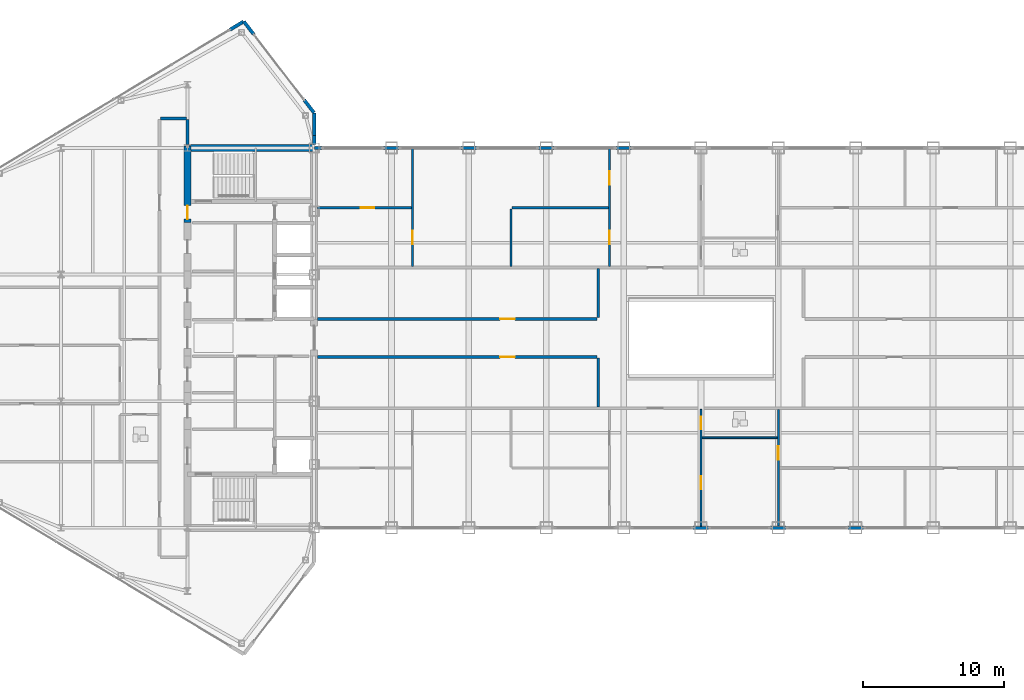
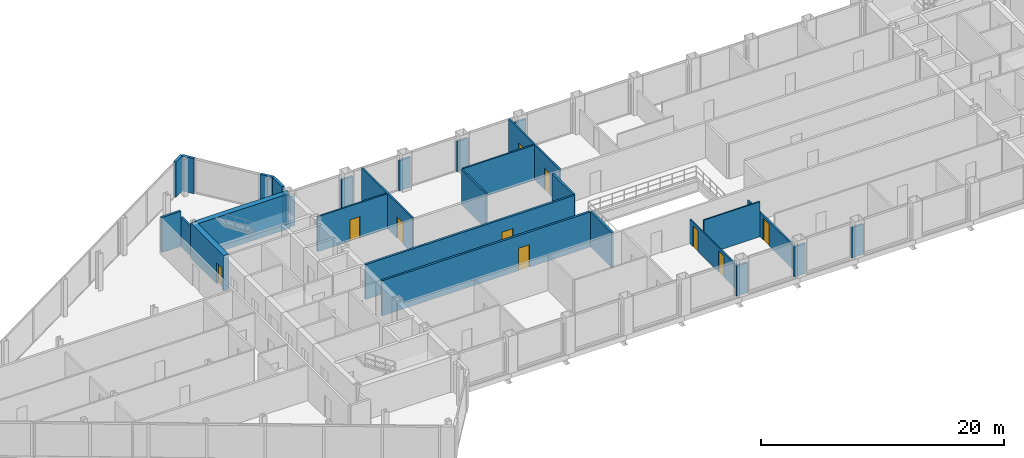
# One storey, part 23 of 29: 29 walls, 10 doors, 10 openings.
"""IFC4 building model written with IfcOpenShell, lengths in metres."""

from ifc_helpers import new_model, si_unit, direction, frame, frame_2d, origin, place, context, subcontext, project, spatial, rectangle, extrude, source, transform, mapped, material, layer, layer_set, type_object, type_shapes, element, fill, save


model = new_model("IFC4")

# Units and contexts
model_context = context("Model", 3, precision=1e-05, world=origin(), true_north=direction((0.0, 1.0)))
body_context = subcontext(model_context, "Body", "Model", "MODEL_VIEW")
ifc_project = project(units=[si_unit("LENGTHUNIT", "METRE"), si_unit("AREAUNIT", "SQUARE_METRE"), si_unit("VOLUMEUNIT", "CUBIC_METRE"), si_unit("PLANEANGLEUNIT", "RADIAN"), si_unit("MASSUNIT", "GRAM", prefix="KILO")], contexts=[model_context])

# Site, building, storey
site_placement = place(None, origin())
site = spatial("IfcSite", under=ifc_project, at=site_placement, CompositionType="ELEMENT")
building_placement = place(site_placement, origin())
building = spatial("IfcBuilding", under=site, at=building_placement, Name="Seokmaru Belvedere", CompositionType="ELEMENT")
storey_placement = place(building_placement, frame((0.0, 0.0, 243.14990234375)))
storey = spatial("IfcBuildingStorey", under=building, at=storey_placement, Name="L64", CompositionType="ELEMENT", Elevation=243.14990234375)

# Wall, opening, door
ifc_material_1 = material(Name="Fire-Rated Gypsum Shaftwall")
ifc_layer_1 = layer(ifc_material_1, 0.14990234375)
ifc_layer_set_1 = layer_set([ifc_layer_1], Name="Fire-Rated Gypsum Shaftwall")
wall_type_1 = type_object("IfcWallType", Name="Apartment Fire-Acoustic Room Partition 150", PredefinedType="PARTITIONING", material=ifc_layer_set_1)
wall_1_placement = place(storey_placement, frame((-27.2451171875, 9.25, 0.0), z_axis=(0.0, 0.0, 1.0), x_axis=(1.0, 0.0, 0.0)))
wall_1 = element("IfcWall", 1, at=wall_1_placement, inside=storey, type_object=wall_type_1, Name="L64 Interior Partition 026", PredefinedType="PARTITIONING", context=body_context, shape_type="SweptSolid", body=[
    extrude(rectangle(XDim=6.66015625, YDim=0.14990234375, at=frame_2d((3.330078125, 0.0))), origin(), (0.0, 0.0, 1.0), 3.530029296875),
])
opening_1_placement = place(wall_1_placement, frame((3.070068359375, 0.0, 0.0)))
opening_1 = element("IfcOpeningElement", 2, at=opening_1_placement, cuts=wall_1, Name="Opening D05", PredefinedType="OPENING", context=body_context, shape_type="SweptSolid", body=[
    extrude(rectangle(XDim=0.949951171875, YDim=2.14990234375, at=frame_2d((0.47509765625, 1.074951171875))), frame((0.0, 0.0849609375, 0.0), z_axis=(0.0, -1.0, 0.0), x_axis=(1.0, 0.0, 0.0)), (0.0, 0.0, 1.0), 0.169921875),
])
ifc_material_2 = material(Name="Engineered White Oak Timber", Category="wood")
door_type_1 = type_object("IfcDoorType", Name="Apartment Interior Fire-Rated Oak Door 950x2150", OperationType="NOTDEFINED", PredefinedType="DOOR", material=ifc_material_2)
shared_shape_1 = source(origin(), body_context, "Body", "SweptSolid", [
    extrude(rectangle(XDim=0.949951171875, YDim=2.14990234375, at=frame_2d((0.47509765625, 1.074951171875))), frame((0.0, 0.02490234375, 0.0), z_axis=(0.0, -1.0, 0.0), x_axis=(1.0, 0.0, 0.0)), (0.0, 0.0, 1.0), 0.050048828125),
])
type_shapes(door_type_1, [shared_shape_1])
door_1_placement = place(opening_1_placement, origin())
door_1 = element("IfcDoor", 3, at=door_1_placement, inside=storey, type_object=door_type_1, Name="L64 Interior Door 044", OperationType="SINGLE_SWING_RIGHT", OverallHeight=2.14990234375, OverallWidth=0.949951171875, PredefinedType="DOOR", context=body_context, shape_type="MappedRepresentation", body=[
    mapped(shared_shape_1, transform((0.0, 0.0, 0.0), scale=1.0)),
])
fill(opening_1, door_1)

# Wall
wall_2_placement = place(storey_placement, frame((-13.4150390625, 9.25, 0.0), z_axis=(0.0, 0.0, 1.0), x_axis=(1.0, 0.0, 0.0)))
element("IfcWall", 4, at=wall_2_placement, inside=storey, type_object=wall_type_1, Name="L64 Interior Partition 027", PredefinedType="PARTITIONING", context=body_context, shape_type="SweptSolid", body=[
    extrude(rectangle(XDim=6.830078125, YDim=0.14990234375, at=frame_2d((3.4150390625, 0.0))), origin(), (0.0, 0.0, 1.0), 3.530029296875),
])

# Wall, opening, door
wall_3_placement = place(storey_placement, frame((-20.5, 5.0849609375, 0.0), z_axis=(0.0, 0.0, 1.0), x_axis=(0.0, 1.0, 0.0)))
wall_3 = element("IfcWall", 5, at=wall_3_placement, inside=storey, type_object=wall_type_1, Name="L64 Interior Partition 039", PredefinedType="PARTITIONING", context=body_context, shape_type="SweptSolid", body=[
    extrude(rectangle(XDim=8.4150390625, YDim=0.14990234375, at=frame_2d((4.20751953125, 0.0))), origin(), (0.0, 0.0, 1.0), 3.530029296875),
])
opening_2_placement = place(wall_3_placement, frame((1.56494140625, 0.0, 0.0)))
opening_2 = element("IfcOpeningElement", 6, at=opening_2_placement, cuts=wall_3, Name="Opening D05", PredefinedType="OPENING", context=body_context, shape_type="SweptSolid", body=[
    extrude(rectangle(XDim=0.949951171875, YDim=2.14990234375, at=frame_2d((0.47509765625, 1.074951171875))), frame((0.0, 0.0849609375, 0.0), z_axis=(0.0, -1.0, 0.0), x_axis=(1.0, 0.0, 0.0)), (0.0, 0.0, 1.0), 0.169921875),
])
door_2_placement = place(opening_2_placement, origin())
door_2 = element("IfcDoor", 7, at=door_2_placement, inside=storey, type_object=door_type_1, Name="L64 Interior Door 043", OperationType="SINGLE_SWING_LEFT", OverallHeight=2.14990234375, OverallWidth=0.949951171875, PredefinedType="DOOR", context=body_context, shape_type="MappedRepresentation", body=[
    mapped(shared_shape_1, transform((0.0, 0.0, 0.0), scale=1.0)),
])
fill(opening_2, door_2)

# Wall
wall_4_placement = place(storey_placement, frame((-13.5, 5.0849609375, 0.0), z_axis=(0.0, 0.0, 1.0), x_axis=(0.0, 1.0, 0.0)))
element("IfcWall", 8, at=wall_4_placement, inside=storey, type_object=wall_type_1, Name="L64 Interior Partition 041", PredefinedType="PARTITIONING", context=body_context, shape_type="SweptSolid", body=[
    extrude(rectangle(XDim=4.080078125, YDim=0.14990234375, at=frame_2d((2.0400390625, 0.0))), origin(), (0.0, 0.0, 1.0), 3.530029296875),
])

# Wall, openings, doors
wall_5_placement = place(storey_placement, frame((-6.5, 5.0849609375, 0.0), z_axis=(0.0, 0.0, 1.0), x_axis=(0.0, 1.0, 0.0)))
wall_5 = element("IfcWall", 9, at=wall_5_placement, inside=storey, type_object=wall_type_1, Name="L64 Interior Partition 045", PredefinedType="PARTITIONING", context=body_context, shape_type="SweptSolid", body=[
    extrude(rectangle(XDim=8.4150390625, YDim=0.14990234375, at=frame_2d((4.20751953125, 0.0))), origin(), (0.0, 0.0, 1.0), 3.530029296875),
])
opening_3_placement = place(wall_5_placement, frame((1.56494140625, 0.0, 0.0)))
opening_3 = element("IfcOpeningElement", 10, at=opening_3_placement, cuts=wall_5, Name="Opening D05", PredefinedType="OPENING", context=body_context, shape_type="SweptSolid", body=[
    extrude(rectangle(XDim=0.949951171875, YDim=2.14990234375, at=frame_2d((0.47509765625, 1.074951171875))), frame((0.0, 0.0849609375, 0.0), z_axis=(0.0, -1.0, 0.0), x_axis=(1.0, 0.0, 0.0)), (0.0, 0.0, 1.0), 0.169921875),
])
opening_4_placement = place(wall_5_placement, frame((5.81494140625, 0.0, 0.0)))
opening_4 = element("IfcOpeningElement", 11, at=opening_4_placement, cuts=wall_5, Name="Opening D05", PredefinedType="OPENING", context=body_context, shape_type="SweptSolid", body=[
    extrude(rectangle(XDim=0.949951171875, YDim=2.14990234375, at=frame_2d((0.47509765625, 1.074951171875))), frame((0.0, 0.0849609375, 0.0), z_axis=(0.0, -1.0, 0.0), x_axis=(1.0, 0.0, 0.0)), (0.0, 0.0, 1.0), 0.169921875),
])
door_3_placement = place(opening_3_placement, origin())
door_3 = element("IfcDoor", 12, at=door_3_placement, inside=storey, type_object=door_type_1, Name="L64 Interior Door 041", OperationType="SINGLE_SWING_LEFT", OverallHeight=2.14990234375, OverallWidth=0.949951171875, PredefinedType="DOOR", context=body_context, shape_type="MappedRepresentation", body=[
    mapped(shared_shape_1, transform((0.0, 0.0, 0.0), scale=1.0)),
])
fill(opening_3, door_3)
door_4_placement = place(opening_4_placement, origin())
door_4 = element("IfcDoor", 13, at=door_4_placement, inside=storey, type_object=door_type_1, Name="L64 Interior Door 042", OperationType="SINGLE_SWING_RIGHT", OverallHeight=2.14990234375, OverallWidth=0.949951171875, PredefinedType="DOOR", context=body_context, shape_type="MappedRepresentation", body=[
    mapped(shared_shape_1, transform((0.0, 0.0, 0.0), scale=1.0)),
])
fill(opening_4, door_4)

# Wall, opening, door
wall_6_placement = place(storey_placement, frame((5.5, -13.389892578125, 0.0), z_axis=(0.0, 0.0, 1.0), x_axis=(0.0, 1.0, 0.0)))
wall_6 = element("IfcWall", 14, at=wall_6_placement, inside=storey, type_object=wall_type_1, Name="L64 Interior Partition 048", PredefinedType="PARTITIONING", context=body_context, shape_type="SweptSolid", body=[
    extrude(rectangle(XDim=8.304931640625, YDim=0.14990234375, at=frame_2d((4.15234375, 0.0))), origin(), (0.0, 0.0, 1.0), 2.43017578125),
])
opening_5_placement = place(wall_6_placement, frame((4.739990234375, 0.0, 0.0)))
opening_5 = element("IfcOpeningElement", 15, at=opening_5_placement, cuts=wall_6, Name="Opening D05", PredefinedType="OPENING", context=body_context, shape_type="SweptSolid", body=[
    extrude(rectangle(XDim=0.949951171875, YDim=2.14990234375, at=frame_2d((0.47509765625, 1.074951171875))), frame((0.0, 0.0849609375, 0.0), z_axis=(0.0, -1.0, 0.0), x_axis=(1.0, 0.0, 0.0)), (0.0, 0.0, 1.0), 0.169921875),
])
door_5_placement = place(opening_5_placement, origin())
door_5 = element("IfcDoor", 16, at=door_5_placement, inside=storey, type_object=door_type_1, Name="L64 Interior Door 034", OperationType="SINGLE_SWING_LEFT", OverallHeight=2.14990234375, OverallWidth=0.949951171875, PredefinedType="DOOR", context=body_context, shape_type="MappedRepresentation", body=[
    mapped(shared_shape_1, transform((0.0, 0.0, 0.0), scale=1.0)),
])
fill(opening_5, door_5)

# Walls
ifc_material_3 = material(Name="Anodised Bronze Aluminium", Category="aluminium")
ifc_layer_2 = layer(ifc_material_3, 0.2099609375)
ifc_layer_set_2 = layer_set([ifc_layer_2], Name="Anodised Bronze Aluminium")
wall_type_2 = type_object("IfcWallType", Name="Bridge Column Spandrel Closure Pier 210", PredefinedType="SOLIDWALL", material=ifc_layer_set_2)
wall_7_placement = place(storey_placement, frame((-27.489990234375, 13.5, 0.0), z_axis=(0.0, 0.0, 1.0), x_axis=(1.0, 0.0, 0.0)))
element("IfcWall", 17, at=wall_7_placement, inside=storey, type_object=wall_type_2, Name="L64 Bridge North Column Closure Pier 01", PredefinedType="SOLIDWALL", context=body_context, shape_type="SweptSolid", body=[
    extrude(rectangle(XDim=0.5400390625, YDim=0.2099609375, at=frame_2d((0.27001953125, 0.0))), origin(), (0.0, 0.0, 1.0), 3.030029296875),
])
for number, where, z_axis, x_axis, name in (
    (18, (-22.550048828125, 13.5, 0.0), (0.0, 0.0, 1.0), (1.0, 0.0, 0.0), "L64 Bridge North Column Closure Pier 02"),
    (19, (-17.050048828125, 13.5, 0.0), (0.0, 0.0, 1.0), (1.0, 0.0, 0.0), "L64 Bridge North Column Closure Pier 03"),
    (20, (-11.550048828125, 13.5, 0.0), (0.0, 0.0, 1.0), (1.0, 0.0, 0.0), "L64 Bridge North Column Closure Pier 04"),
    (21, (-6.050048828125, 13.5, 0.0), (0.0, 0.0, 1.0), (1.0, 0.0, 0.0), "L64 Bridge North Column Closure Pier 05"),
    (22, (-0.550048828125, -13.5, 0.0), (0.0, 0.0, 1.0), (1.0, 0.0, 0.0), "L64 Bridge South Column Closure Pier 06"),
    (23, (4.949951171875, -13.5, 0.0), (0.0, 0.0, 1.0), (1.0, 0.0, 0.0), "L64 Bridge South Column Closure Pier 07"),
    (24, (10.449951171875, -13.5, 0.0), (0.0, 0.0, 1.0), (1.0, 0.0, 0.0), "L64 Bridge South Column Closure Pier 08"),
):
    element("IfcWall", number, at=place(storey_placement, frame(where, z_axis=z_axis, x_axis=x_axis)), inside=storey, type_object=wall_type_2, Name=name, PredefinedType="SOLIDWALL", context=body_context, shape_type="SweptSolid", body=[
        extrude(rectangle(XDim=1.10009765625, YDim=0.2099609375, at=frame_2d((0.550048828125, 0.0))), origin(), (0.0, 0.0, 1.0), 3.030029296875),
    ])

# Wall, opening, door
ifc_layer_3 = layer(ifc_material_1, 0.199951171875)
ifc_layer_set_3 = layer_set([ifc_layer_3], Name="Fire-Rated Gypsum Shaftwall")
wall_type_3 = type_object("IfcWallType", Name="Inter-Tenancy Fire Compartment Partition 200", PredefinedType="PARTITIONING", material=ifc_layer_set_3)
wall_8_placement = place(storey_placement, frame((-27.2451171875, -1.35009765625, 0.0), z_axis=(0.0, 0.0, 1.0), x_axis=(1.0, 0.0, 0.0)))
wall_8 = element("IfcWall", 25, at=wall_8_placement, inside=storey, type_object=wall_type_3, Name="L64 Interior Partition 014", PredefinedType="PARTITIONING", context=body_context, shape_type="SweptSolid", body=[
    extrude(rectangle(XDim=19.860107421875, YDim=0.199951171875, at=frame_2d((9.93017578125, 0.0))), origin(), (0.0, 0.0, 1.0), 3.530029296875),
])
opening_6_placement = place(wall_8_placement, frame((12.969970703125, 0.0, 0.0)))
opening_6 = element("IfcOpeningElement", 26, at=opening_6_placement, cuts=wall_8, Name="Opening D03", PredefinedType="OPENING", context=body_context, shape_type="SweptSolid", body=[
    extrude(rectangle(XDim=1.050048828125, YDim=2.25, at=frame_2d((0.52490234375, 1.125))), frame((0.0, 0.10986328125, 0.0), z_axis=(0.0, -1.0, 0.0), x_axis=(1.0, 0.0, 0.0)), (0.0, 0.0, 1.0), 0.219970703125),
])
ifc_material_4 = material(Name="Fire-Rated Steel Leaf", Category="steel")
door_type_2 = type_object("IfcDoorType", Name="Apartment Entrance Fire Door 1050x2250", OperationType="NOTDEFINED", PredefinedType="DOOR", material=ifc_material_4)
shared_shape_2 = source(origin(), body_context, "Body", "SweptSolid", [
    extrude(rectangle(XDim=1.050048828125, YDim=2.25, at=frame_2d((0.52490234375, 1.125))), frame((0.0, 0.02490234375, 0.0), z_axis=(0.0, -1.0, 0.0), x_axis=(1.0, 0.0, 0.0)), (0.0, 0.0, 1.0), 0.050048828125),
])
type_shapes(door_type_2, [shared_shape_2])
door_6_placement = place(opening_6_placement, origin())
door_6 = element("IfcDoor", 27, at=door_6_placement, inside=storey, type_object=door_type_2, Name="L64 Interior Door 023", OperationType="SINGLE_SWING_LEFT", OverallHeight=2.25, OverallWidth=1.050048828125, PredefinedType="DOOR", context=body_context, shape_type="MappedRepresentation", body=[
    mapped(shared_shape_2, transform((0.0, 0.0, 0.0), scale=1.0)),
])
fill(opening_6, door_6)

wall_9_placement = place(storey_placement, frame((-27.2451171875, 1.35009765625, 0.0), z_axis=(0.0, 0.0, 1.0), x_axis=(1.0, 0.0, 0.0)))
wall_9 = element("IfcWall", 28, at=wall_9_placement, inside=storey, type_object=wall_type_3, Name="L64 Interior Partition 018", PredefinedType="PARTITIONING", context=body_context, shape_type="SweptSolid", body=[
    extrude(rectangle(XDim=19.860107421875, YDim=0.199951171875, at=frame_2d((9.93017578125, 0.0))), origin(), (0.0, 0.0, 1.0), 3.530029296875),
])
opening_7_placement = place(wall_9_placement, frame((12.969970703125, 0.0, 0.0)))
opening_7 = element("IfcOpeningElement", 29, at=opening_7_placement, cuts=wall_9, Name="Opening D03", PredefinedType="OPENING", context=body_context, shape_type="SweptSolid", body=[
    extrude(rectangle(XDim=1.050048828125, YDim=2.25, at=frame_2d((0.52490234375, 1.125))), frame((0.0, 0.10986328125, 0.0), z_axis=(0.0, -1.0, 0.0), x_axis=(1.0, 0.0, 0.0)), (0.0, 0.0, 1.0), 0.219970703125),
])
door_7_placement = place(opening_7_placement, origin())
door_7 = element("IfcDoor", 30, at=door_7_placement, inside=storey, type_object=door_type_2, Name="L64 Interior Door 025", OperationType="SINGLE_SWING_RIGHT", OverallHeight=2.25, OverallWidth=1.050048828125, PredefinedType="DOOR", context=body_context, shape_type="MappedRepresentation", body=[
    mapped(shared_shape_2, transform((0.0, 0.0, 0.0), scale=1.0)),
])
fill(opening_7, door_7)

# Walls
wall_10_placement = place(storey_placement, frame((-38.4150390625, 15.60009765625, 0.0), z_axis=(0.0, 0.0, 1.0), x_axis=(1.0, 0.0, 0.0)))
element("IfcWall", 31, at=wall_10_placement, inside=storey, type_object=wall_type_3, Name="L64 Interior Partition 029", PredefinedType="PARTITIONING", context=body_context, shape_type="SweptSolid", body=[
    extrude(rectangle(XDim=1.830078125, YDim=0.199951171875, at=frame_2d((0.9150390625, 0.0))), origin(), (0.0, 0.0, 1.0), 3.530029296875),
])
wall_11_placement = place(storey_placement, frame((-36.5, 13.7548828125, 0.0), z_axis=(0.0, 0.0, 1.0), x_axis=(0.0, 1.0, 0.0)))
element("IfcWall", 32, at=wall_11_placement, inside=storey, type_object=wall_type_3, Name="L64 Interior Partition 037", PredefinedType="PARTITIONING", context=body_context, shape_type="SweptSolid", body=[
    extrude(rectangle(XDim=1.760009765625, YDim=0.199951171875, at=frame_2d((0.8798828125, 0.0))), origin(), (0.0, 0.0, 1.0), 2.93017578125),
])
for number, where, z_axis, x_axis, name in (
    (33, (-7.300048828125, -4.9150390625, 0.0), (0.0, 0.0, 1.0), (0.0, 1.0, 0.0), "L64 Interior Partition 042"),
    (34, (-7.300048828125, 1.43505859375, 0.0), (0.0, 0.0, 1.0), (0.0, 1.0, 0.0), "L64 Interior Partition 043"),
):
    element("IfcWall", number, at=place(storey_placement, frame(where, z_axis=z_axis, x_axis=x_axis)), inside=storey, type_object=wall_type_3, Name=name, PredefinedType="PARTITIONING", context=body_context, shape_type="SweptSolid", body=[
        extrude(rectangle(XDim=3.47998046875, YDim=0.199951171875, at=frame_2d((1.739990234375, 0.0))), origin(), (0.0, 0.0, 1.0), 3.530029296875),
    ])
ifc_layer_4 = layer(ifc_material_1, 0.1298828125)
ifc_layer_set_4 = layer_set([ifc_layer_4], Name="Fire-Rated Gypsum Shaftwall")
wall_type_4 = type_object("IfcWallType", Name="Moisture-Resistant Fire-Rated Bathroom Partition 130", PredefinedType="PARTITIONING", material=ifc_layer_set_4)
wall_12_placement = place(storey_placement, frame((0.0849609375, -7.10009765625, 0.0), z_axis=(0.0, 0.0, 1.0), x_axis=(1.0, 0.0, 0.0)))
element("IfcWall", 35, at=wall_12_placement, inside=storey, type_object=wall_type_4, Name="L64 Interior Partition 007", PredefinedType="PARTITIONING", context=body_context, shape_type="SweptSolid", body=[
    extrude(rectangle(XDim=5.330078125, YDim=0.1298828125, at=frame_2d((2.6650390625, 0.0))), origin(), (0.0, 0.0, 1.0), 3.530029296875),
])

# Wall, openings, doors
wall_13_placement = place(storey_placement, frame((0.0, -13.389892578125, 0.0), z_axis=(0.0, 0.0, 1.0), x_axis=(0.0, 1.0, 0.0)))
wall_13 = element("IfcWall", 36, at=wall_13_placement, inside=storey, type_object=wall_type_4, Name="L64 Interior Partition 046", PredefinedType="PARTITIONING", context=body_context, shape_type="SweptSolid", body=[
    extrude(rectangle(XDim=8.304931640625, YDim=0.1298828125, at=frame_2d((4.15234375, 0.0))), origin(), (0.0, 0.0, 1.0), 2.43017578125),
])
opening_8_placement = place(wall_13_placement, frame((6.89990234375, 0.0, 0.0)))
opening_8 = element("IfcOpeningElement", 37, at=opening_8_placement, cuts=wall_13, Name="Opening D06", PredefinedType="OPENING", context=body_context, shape_type="SweptSolid", body=[
    extrude(rectangle(XDim=0.8798828125, YDim=2.10009765625, at=frame_2d((0.43994140625, 1.050048828125))), frame((0.0, 0.074951171875, 0.0), z_axis=(0.0, -1.0, 0.0), x_axis=(1.0, 0.0, 0.0)), (0.0, 0.0, 1.0), 0.14990234375),
])
opening_9_placement = place(wall_13_placement, frame((2.614990234375, 0.0, 0.0)))
opening_9 = element("IfcOpeningElement", 38, at=opening_9_placement, cuts=wall_13, Name="Opening D05", PredefinedType="OPENING", context=body_context, shape_type="SweptSolid", body=[
    extrude(rectangle(XDim=0.949951171875, YDim=2.14990234375, at=frame_2d((0.47509765625, 1.074951171875))), frame((0.0, 0.074951171875, 0.0), z_axis=(0.0, -1.0, 0.0), x_axis=(1.0, 0.0, 0.0)), (0.0, 0.0, 1.0), 0.14990234375),
])
door_type_3 = type_object("IfcDoorType", Name="Bathroom and Restroom Fire-Rated Door 880x2100", OperationType="NOTDEFINED", PredefinedType="DOOR", material=ifc_material_2)
shared_shape_3 = source(origin(), body_context, "Body", "SweptSolid", [
    extrude(rectangle(XDim=0.8798828125, YDim=2.10009765625, at=frame_2d((0.43994140625, 1.050048828125))), frame((0.0, 0.02490234375, 0.0), z_axis=(0.0, -1.0, 0.0), x_axis=(1.0, 0.0, 0.0)), (0.0, 0.0, 1.0), 0.050048828125),
])
type_shapes(door_type_3, [shared_shape_3])
door_8_placement = place(opening_8_placement, origin())
door_8 = element("IfcDoor", 39, at=door_8_placement, inside=storey, type_object=door_type_3, Name="L64 Interior Door 028", OperationType="SINGLE_SWING_LEFT", OverallHeight=2.10009765625, OverallWidth=0.8798828125, PredefinedType="DOOR", context=body_context, shape_type="MappedRepresentation", body=[
    mapped(shared_shape_3, transform((0.0, 0.0, 0.0), scale=1.0)),
])
fill(opening_8, door_8)
door_9_placement = place(opening_9_placement, origin())
door_9 = element("IfcDoor", 40, at=door_9_placement, inside=storey, type_object=door_type_1, Name="L64 Interior Door 029", OperationType="SINGLE_SWING_RIGHT", OverallHeight=2.14990234375, OverallWidth=0.949951171875, PredefinedType="DOOR", context=body_context, shape_type="MappedRepresentation", body=[
    mapped(shared_shape_1, transform((0.0, 0.0, 0.0), scale=1.0)),
])
fill(opening_9, door_9)

# Walls
ifc_layer_5 = layer(ifc_material_3, 0.239990234375)
ifc_layer_set_5 = layer_set([ifc_layer_5], Name="Anodised Bronze Aluminium")
wall_type_5 = type_object("IfcWallType", Name="Tower Corner Spandrel Closure Wall 240", PredefinedType="SOLIDWALL", material=ifc_layer_set_5)
wall_14_placement = place(storey_placement, frame((-27.5, 13.7548828125, 0.0), z_axis=(0.0, 0.0, 1.0), x_axis=(0.0, 1.0, 0.0)))
element("IfcWall", 41, at=wall_14_placement, inside=storey, type_object=wall_type_5, Name="L64 W Shoulder Closure Wall 2", PredefinedType="SOLIDWALL", context=body_context, shape_type="SweptSolid", body=[
    extrude(rectangle(XDim=0.619873046875, YDim=0.239990234375, at=frame_2d((0.31005859375, 0.0))), origin(), (0.0, 0.0, 1.0), 3.030029296875),
])
wall_15_placement = place(storey_placement, frame((-27.5, 14.374755859375, 0.0), z_axis=(0.0, 0.0, 1.0), x_axis=(0.0, 1.0, 0.0)))
element("IfcWall", 42, at=wall_15_placement, inside=storey, type_object=wall_type_5, Name="L64 W Shoulder Closure Wall 2 Part 2", PredefinedType="SOLIDWALL", context=body_context, shape_type="SweptSolid", body=[
    extrude(rectangle(XDim=1.605224609375, YDim=0.239990234375, at=frame_2d((0.802734375, 0.0))), origin(), (0.0, 0.0, 1.0), 3.530029296875),
])
for number, where, z_axis, x_axis, name in (
    (43, (-27.506103515625, 16.0078125, 0.0), (0.0, 0.0, 1.0), (-0.609617623633, 0.792695624408, 0.0), "L64 W Corner Closure Pier 2A"),
    (44, (-31.798828125, 21.58837890625, 0.0), (0.0, 0.0, 1.0), (-0.609617623633, 0.792695624408, 0.0), "L64 W Corner Closure Pier 2B"),
    (45, (-32.508544921875, 22.494873046875, 0.0), (0.0, 0.0, 1.0), (-0.85743623509, -0.514590228002, 0.0), "L64 W Corner Closure Pier 3A"),
):
    element("IfcWall", number, at=place(storey_placement, frame(where, z_axis=z_axis, x_axis=x_axis)), inside=storey, type_object=wall_type_5, Name=name, PredefinedType="SOLIDWALL", context=body_context, shape_type="SweptSolid", body=[
        extrude(rectangle(XDim=1.14013671875, YDim=0.239990234375, at=frame_2d((0.570068359375, 0.0))), origin(), (0.0, 0.0, 1.0), 3.530029296875),
    ])
ifc_material_5 = material(Name="Concrete C50 (50 MPa)", Category="concrete")
ifc_layer_6 = layer(ifc_material_5, 0.5)
ifc_layer_set_6 = layer_set([ifc_layer_6], Name="Concrete C50 (50 MPa)")
wall_type_6 = type_object("IfcWallType", Name="Upper Tower Reinforced Concrete Core Wall 500", PredefinedType="SHEAR", material=ifc_layer_set_6)
wall_16_placement = place(storey_placement, frame((-36.5, 13.5, 0.0), z_axis=(0.0, 0.0, 1.0), x_axis=(1.0, 0.0, 0.0)))
element("IfcWall", 46, at=wall_16_placement, inside=storey, type_object=wall_type_6, Name="L64 West North Core Wall", PredefinedType="SHEAR", context=body_context, shape_type="SweptSolid", body=[
    extrude(rectangle(XDim=9.0, YDim=0.5, at=frame_2d((4.5, 0.0))), origin(), (0.0, 0.0, 1.0), 3.530029296875),
])

# Wall, opening, door
wall_17_placement = place(storey_placement, frame((-36.5, 8.199951171875, 0.0), z_axis=(0.0, 0.0, 1.0), x_axis=(0.0, 1.0, 0.0)))
wall_17 = element("IfcWall", 47, at=wall_17_placement, inside=storey, type_object=wall_type_6, Name="L64 West West Core Wall VST", PredefinedType="SHEAR", context=body_context, shape_type="SweptSolid", body=[
    extrude(rectangle(XDim=5.449951171875, YDim=0.5, at=frame_2d((2.72509765625, 0.0))), origin(), (0.0, 0.0, 1.0), 3.530029296875),
])
opening_10_placement = place(wall_17_placement, frame((0.2451171875, 0.0, 0.0)))
opening_10 = element("IfcOpeningElement", 48, at=opening_10_placement, cuts=wall_17, Name="Opening D04", PredefinedType="OPENING", context=body_context, shape_type="SweptSolid", body=[
    extrude(rectangle(XDim=0.949951171875, YDim=2.14990234375, at=frame_2d((0.47509765625, 1.074951171875))), frame((0.0, 0.260009765625, 0.0), z_axis=(0.0, -1.0, 0.0), x_axis=(1.0, 0.0, 0.0)), (0.0, 0.0, 1.0), 0.52001953125),
])
door_type_4 = type_object("IfcDoorType", Name="Core Service Room Fire Door 950x2150", OperationType="NOTDEFINED", PredefinedType="DOOR", material=ifc_material_4)
shared_shape_4 = source(origin(), body_context, "Body", "SweptSolid", [
    extrude(rectangle(XDim=0.949951171875, YDim=2.14990234375, at=frame_2d((0.47509765625, 1.074951171875))), frame((0.0, 0.02490234375, 0.0), z_axis=(0.0, -1.0, 0.0), x_axis=(1.0, 0.0, 0.0)), (0.0, 0.0, 1.0), 0.050048828125),
])
type_shapes(door_type_4, [shared_shape_4])
door_10_placement = place(opening_10_placement, frame((0.949951171875, 0.0, 0.0), z_axis=(0.0, 0.0, 1.0), x_axis=(-1.0, 0.0, 0.0)))
door_10 = element("IfcDoor", 49, at=door_10_placement, inside=storey, type_object=door_type_4, Name="L64 West Smokeproof Vestibule Door", OperationType="SINGLE_SWING_RIGHT", OverallHeight=2.14990234375, OverallWidth=0.949951171875, PredefinedType="DOOR", context=body_context, shape_type="MappedRepresentation", body=[
    mapped(shared_shape_4, transform((0.0, 0.0, 0.0), scale=1.0)),
])
fill(opening_10, door_10)

save(model, "model.ifc")
